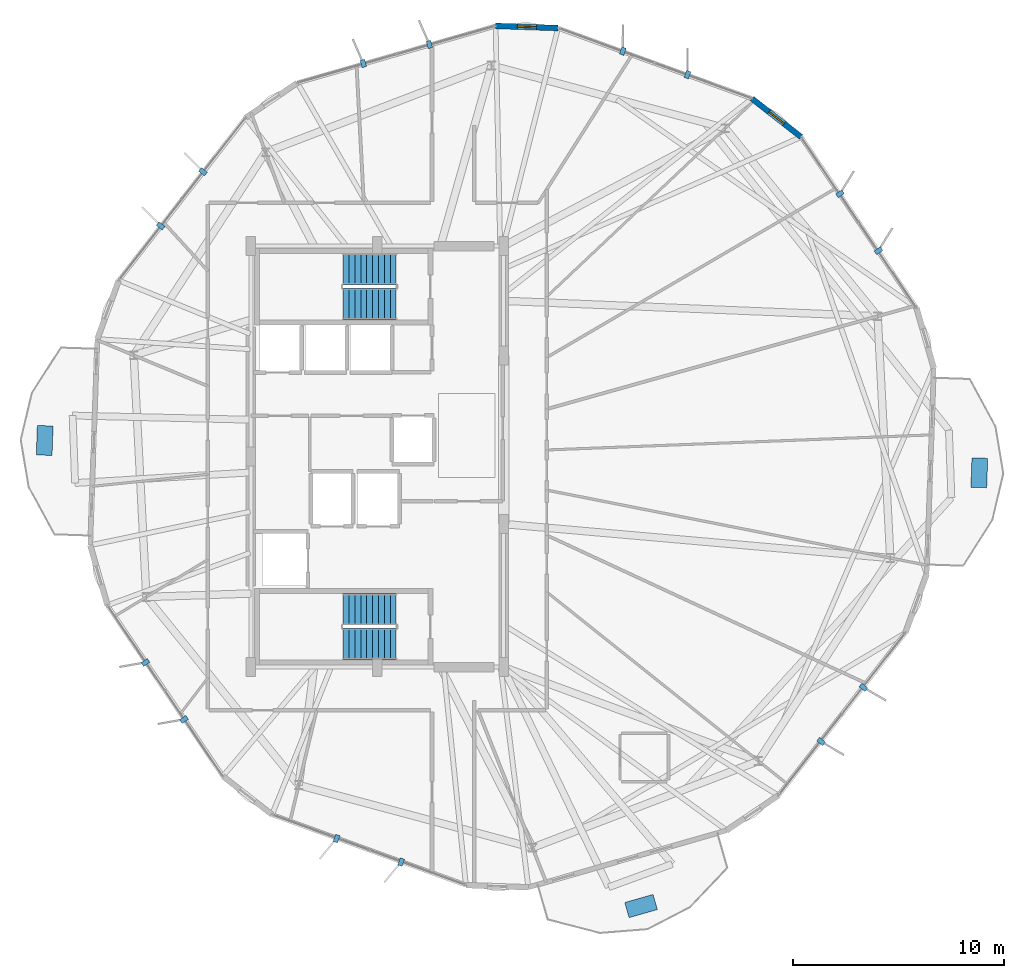
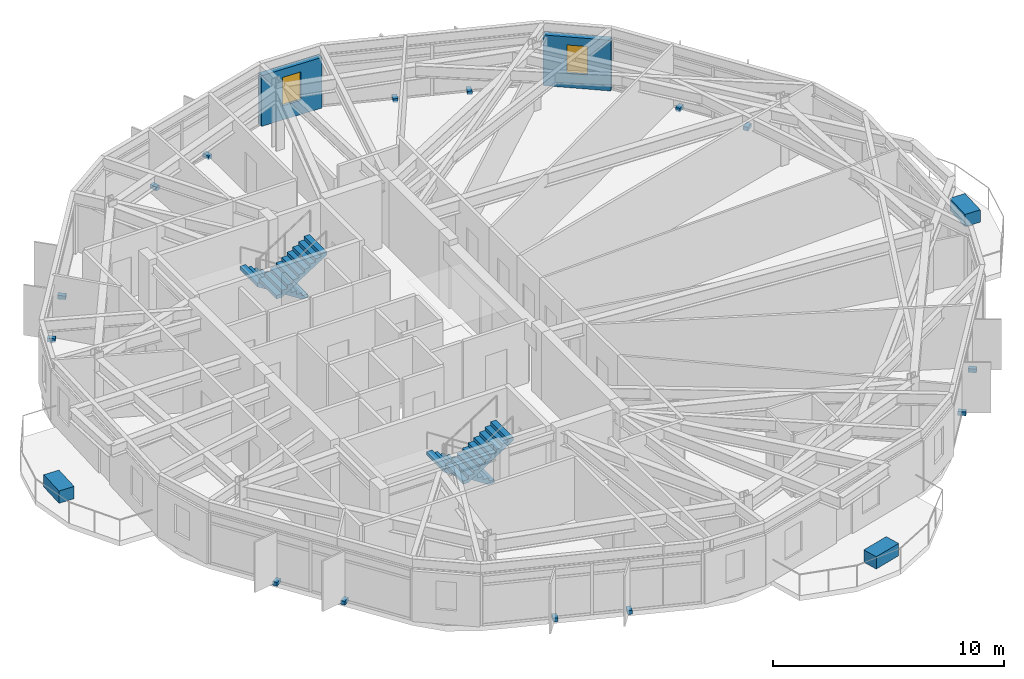
# One storey, part 27 of 30: 17 discrete accessories, 4 stair flights, 2 walls, 2 windows, 2 openings, 2 elements without a shape of their own.
"""IFC4 building model written with IfcOpenShell, lengths in metres."""

from ifc_helpers import new_model, si_unit, direction, frame, frame_2d, origin, origin_2d, place, context, subcontext, project, spatial, polyline, rectangle, outline, extrude, material, layer, layer_set, type_object, element, fill, aggregate, save


model = new_model("IFC4")

# Units and contexts
model_context = context("Model", 3, precision=1e-05, world=origin(), true_north=direction((0.0, 1.0)))
body_context = subcontext(model_context, "Body", "Model", "MODEL_VIEW")
ifc_project = project(units=[si_unit("LENGTHUNIT", "METRE"), si_unit("AREAUNIT", "SQUARE_METRE"), si_unit("VOLUMEUNIT", "CUBIC_METRE"), si_unit("PLANEANGLEUNIT", "RADIAN"), si_unit("MASSUNIT", "GRAM", prefix="KILO")], contexts=[model_context])

# Site, building, storey
site_placement = place(None, origin())
site = spatial("IfcSite", under=ifc_project, at=site_placement, CompositionType="ELEMENT")
building_placement = place(site_placement, origin())
building = spatial("IfcBuilding", under=site, at=building_placement, Name="Soratama Intermodal Tower", CompositionType="ELEMENT")
storey_placement = place(building_placement, frame((0.0, 0.0, 223.0)))
storey = spatial("IfcBuildingStorey", under=building, at=storey_placement, Name="L56", CompositionType="ELEMENT", Elevation=223.0)

# Wall, opening, window
ifc_material_1 = material(Name="Concrete f'c 42 MPa", Category="concrete")
ifc_layer_1 = layer(ifc_material_1, 0.27001953125)
ifc_layer_set_1 = layer_set([ifc_layer_1], Name="Concrete f'c 42 MPa")
wall_type = type_object("IfcWallType", Name="EW-CRN-270", PredefinedType="SOLIDWALL", material=ifc_layer_set_1)
wall_1_placement = place(storey_placement, frame((47.18798828125, 45.3544921875, 0.0), z_axis=(0.0, 0.0, 1.0), x_axis=(-0.999402475551, 0.034564314866, 0.0)))
wall_1 = element("IfcWall", 1, at=wall_1_placement, inside=storey, type_object=wall_type, Name="L56 Corner Closure Wall 01", PredefinedType="SOLIDWALL", context=body_context, shape_type="SweptSolid", body=[
    extrude(rectangle(XDim=2.966552734375, YDim=0.27001953125, at=frame_2d((1.4833984375, 0.0))), origin(), (0.0, 0.0, 1.0), 2.678955078125),
])
opening_1_placement = place(wall_1_placement, frame((1.033203125, 0.0, 0.75)))
opening_1 = element("IfcOpeningElement", 2, at=opening_1_placement, cuts=wall_1, Name="Opening WN-6", PredefinedType="OPENING", context=body_context, shape_type="SweptSolid", body=[
    extrude(rectangle(XDim=0.89990234375, YDim=1.5, at=frame_2d((0.449951171875, 0.75))), frame((0.0, 0.14501953125, 0.0), z_axis=(0.0, -1.0, 0.0), x_axis=(1.0, 0.0, 0.0)), (0.0, 0.0, 1.0), 0.2900390625),
])
ifc_material_2 = material(Name="Double-glazed aluminium window", Category="aluminium")
window_type = type_object("IfcWindowType", Name="WN-FAC-900", PartitioningType="SINGLE_PANEL", PredefinedType="WINDOW", material=ifc_material_2)
window_1_placement = place(opening_1_placement, origin())
window_1 = element("IfcWindow", 3, at=window_1_placement, inside=storey, type_object=window_type, Name="L56 Corner Window 01", OverallHeight=1.5, OverallWidth=0.89990234375, PartitioningType="SINGLE_PANEL", PredefinedType="WINDOW", context=body_context, shape_type="SweptSolid", body=[
    extrude(rectangle(XDim=0.89990234375, YDim=1.5, at=frame_2d((0.449951171875, 0.75))), frame((0.0, 0.030029296875, 0.0), z_axis=(0.0, -1.0, 0.0), x_axis=(1.0, 0.0, 0.0)), (0.0, 0.0, 1.0), 0.06005859375),
])
fill(opening_1, window_1)

wall_2_placement = place(storey_placement, frame((58.734130859375, 40.18115234375, 0.0), z_axis=(0.0, 0.0, 1.0), x_axis=(-0.788216472233, 0.615398076776, 0.0)))
wall_2 = element("IfcWall", 4, at=wall_2_placement, inside=storey, type_object=wall_type, Name="L56 Corner Closure Wall 10", PredefinedType="SOLIDWALL", context=body_context, shape_type="SweptSolid", body=[
    extrude(rectangle(XDim=2.966552734375, YDim=0.27001953125, at=frame_2d((1.4833984375, 0.0))), origin(), (0.0, 0.0, 1.0), 2.678955078125),
])
opening_2_placement = place(wall_2_placement, frame((1.033203125, 0.0, 0.75)))
opening_2 = element("IfcOpeningElement", 5, at=opening_2_placement, cuts=wall_2, Name="Opening WN-6", PredefinedType="OPENING", context=body_context, shape_type="SweptSolid", body=[
    extrude(rectangle(XDim=0.89990234375, YDim=1.5, at=frame_2d((0.449951171875, 0.75))), frame((0.0, 0.14501953125, 0.0), z_axis=(0.0, -1.0, 0.0), x_axis=(1.0, 0.0, 0.0)), (0.0, 0.0, 1.0), 0.2900390625),
])
window_2_placement = place(opening_2_placement, origin())
window_2 = element("IfcWindow", 6, at=window_2_placement, inside=storey, type_object=window_type, Name="L56 Corner Window 10", OverallHeight=1.5, OverallWidth=0.89990234375, PartitioningType="SINGLE_PANEL", PredefinedType="WINDOW", context=body_context, shape_type="SweptSolid", body=[
    extrude(rectangle(XDim=0.89990234375, YDim=1.5, at=frame_2d((0.449951171875, 0.75))), frame((0.0, 0.030029296875, 0.0), z_axis=(0.0, -1.0, 0.0), x_axis=(1.0, 0.0, 0.0)), (0.0, 0.0, 1.0), 0.06005859375),
])
fill(opening_2, window_2)

# Stair, stair flights
ifc_material_3 = material(Name="Concrete f'c 42 MPa", Category="concrete")
stair_type = type_object("IfcStairType", Name="ST-CORE-DOGLEG", PredefinedType="HALF_TURN_STAIR", material=ifc_material_3)
stair_1_placement = place(storey_placement, origin())
stair_1 = element("IfcStair", 7, at=stair_1_placement, inside=storey, type_object=stair_type, Name="L56 ST-1", PredefinedType="HALF_TURN_STAIR")
ifc_material_4 = material(Name="Precast concrete f'c 40 MPa", Category="concrete")
ifc_layer_2 = layer(ifc_material_4, 0.199951171875)
ifc_layer_set_2 = layer_set([ifc_layer_2], Name="Precast concrete f'c 40 MPa")
stair_flight_type = type_object("IfcStairFlightType", Name="SF-FLIGHT-RC", PredefinedType="STRAIGHT", material=ifc_layer_set_2)
stair_flight_1_placement = place(storey_placement, frame((39.5, 17.75, 0.0), z_axis=(0.0, 0.0, 1.0), x_axis=(-1.0, 0.0, 0.0)))
stair_flight_1 = element("IfcStairFlight", 8, at=stair_flight_1_placement, type_object=stair_flight_type, Name="ST-1 flight 1", NumberOfRisers=10, NumberOfTreads=9, PredefinedType="STRAIGHT", RiserHeight=0.18, TreadLength=0.28, context=body_context, shape_type="SweptSolid", body=[
    extrude(outline(polyline([(0.0, 0.0), (0.0, 0.179931640625), (0.280029296875, 0.179931640625), (0.280029296875, 0.360107421875), (0.56005859375, 0.360107421875), (0.56005859375, 0.5400390625), (0.840087890625, 0.5400390625), (0.840087890625, 0.719970703125), (1.1201171875, 0.719970703125), (1.1201171875, 0.89990234375), (1.39990234375, 0.89990234375), (1.39990234375, 1.080078125), (1.679931640625, 1.080078125), (1.679931640625, 1.260009765625), (1.9599609375, 1.260009765625), (1.9599609375, 1.43994140625), (2.239990234375, 1.43994140625), (2.239990234375, 1.6201171875), (2.52001953125, 1.6201171875), (2.52001953125, 1.800048828125), (2.52001953125, 1.44189453125), (0.277099609375, 0.0), (0.0, 0.0)])), frame((0.0, 0.75, 0.0), z_axis=(0.0, -1.0, 0.0), x_axis=(1.0, 0.0, 0.0)), (0.0, 0.0, 1.0), 1.5),
])
stair_flight_2_placement = place(storey_placement, frame((36.97998046875, 16.10009765625, 1.800048828125), z_axis=(0.0, 0.0, 1.0), x_axis=(1.0, 0.0, 0.0)))
stair_flight_2 = element("IfcStairFlight", 9, at=stair_flight_2_placement, type_object=stair_flight_type, Name="ST-1 flight 2", NumberOfRisers=10, NumberOfTreads=9, PredefinedType="STRAIGHT", RiserHeight=0.18, TreadLength=0.28, context=body_context, shape_type="SweptSolid", body=[
    extrude(outline(polyline([(0.0, 0.0), (0.0, 0.179931640625), (0.280029296875, 0.179931640625), (0.280029296875, 0.360107421875), (0.56005859375, 0.360107421875), (0.56005859375, 0.5400390625), (0.840087890625, 0.5400390625), (0.840087890625, 0.719970703125), (1.1201171875, 0.719970703125), (1.1201171875, 0.89990234375), (1.39990234375, 0.89990234375), (1.39990234375, 1.080078125), (1.679931640625, 1.080078125), (1.679931640625, 1.260009765625), (1.9599609375, 1.260009765625), (1.9599609375, 1.43994140625), (2.239990234375, 1.43994140625), (2.239990234375, 1.6201171875), (2.52001953125, 1.6201171875), (2.52001953125, 1.800048828125), (2.52001953125, 1.44189453125), (0.277099609375, 0.0), (0.0, 0.0)])), frame((0.0, 0.75, 0.0), z_axis=(0.0, -1.0, 0.0), x_axis=(1.0, 0.0, 0.0)), (0.0, 0.0, 1.0), 1.5),
])
aggregate(stair_1, [stair_flight_1, stair_flight_2])

stair_2_placement = place(storey_placement, origin())
stair_2 = element("IfcStair", 10, at=stair_2_placement, inside=storey, type_object=stair_type, Name="L56 ST-2", PredefinedType="HALF_TURN_STAIR")
stair_flight_3_placement = place(storey_placement, frame((39.5, 33.89990234375, 0.0), z_axis=(0.0, 0.0, 1.0), x_axis=(-1.0, 0.0, 0.0)))
stair_flight_3 = element("IfcStairFlight", 11, at=stair_flight_3_placement, type_object=stair_flight_type, Name="ST-2 flight 1", NumberOfRisers=10, NumberOfTreads=9, PredefinedType="STRAIGHT", RiserHeight=0.18, TreadLength=0.28, context=body_context, shape_type="SweptSolid", body=[
    extrude(outline(polyline([(0.0, 0.0), (0.0, 0.179931640625), (0.280029296875, 0.179931640625), (0.280029296875, 0.360107421875), (0.56005859375, 0.360107421875), (0.56005859375, 0.5400390625), (0.840087890625, 0.5400390625), (0.840087890625, 0.719970703125), (1.1201171875, 0.719970703125), (1.1201171875, 0.89990234375), (1.39990234375, 0.89990234375), (1.39990234375, 1.080078125), (1.679931640625, 1.080078125), (1.679931640625, 1.260009765625), (1.9599609375, 1.260009765625), (1.9599609375, 1.43994140625), (2.239990234375, 1.43994140625), (2.239990234375, 1.6201171875), (2.52001953125, 1.6201171875), (2.52001953125, 1.800048828125), (2.52001953125, 1.44189453125), (0.277099609375, 0.0), (0.0, 0.0)])), frame((0.0, 0.75, 0.0), z_axis=(0.0, -1.0, 0.0), x_axis=(1.0, 0.0, 0.0)), (0.0, 0.0, 1.0), 1.5),
])
stair_flight_4_placement = place(storey_placement, frame((36.97998046875, 32.25, 1.800048828125), z_axis=(0.0, 0.0, 1.0), x_axis=(1.0, 0.0, 0.0)))
stair_flight_4 = element("IfcStairFlight", 12, at=stair_flight_4_placement, type_object=stair_flight_type, Name="ST-2 flight 2", NumberOfRisers=10, NumberOfTreads=9, PredefinedType="STRAIGHT", RiserHeight=0.18, TreadLength=0.28, context=body_context, shape_type="SweptSolid", body=[
    extrude(outline(polyline([(0.0, 0.0), (0.0, 0.179931640625), (0.280029296875, 0.179931640625), (0.280029296875, 0.360107421875), (0.56005859375, 0.360107421875), (0.56005859375, 0.5400390625), (0.840087890625, 0.5400390625), (0.840087890625, 0.719970703125), (1.1201171875, 0.719970703125), (1.1201171875, 0.89990234375), (1.39990234375, 0.89990234375), (1.39990234375, 1.080078125), (1.679931640625, 1.080078125), (1.679931640625, 1.260009765625), (1.9599609375, 1.260009765625), (1.9599609375, 1.43994140625), (2.239990234375, 1.43994140625), (2.239990234375, 1.6201171875), (2.52001953125, 1.6201171875), (2.52001953125, 1.800048828125), (2.52001953125, 1.44189453125), (0.277099609375, 0.0), (0.0, 0.0)])), frame((0.0, 0.75, 0.0), z_axis=(0.0, -1.0, 0.0), x_axis=(1.0, 0.0, 0.0)), (0.0, 0.0, 1.0), 1.5),
])
aggregate(stair_2, [stair_flight_3, stair_flight_4])

# Discrete accessories
ifc_material_5 = material(Name="Structural steel ASTM A992 Grade 50", Category="steel")
discrete_accessory_type_1 = type_object("IfcDiscreteAccessoryType", Name="AC-FIN-BRACKET", PredefinedType="BRACKET", material=ifc_material_5)
for number, where, z_axis, x_axis, name in (
    (13, (53.333251953125, 43.1416015625, -0.080078125), (0.0, 0.0, 1.0), (0.341692107891, 0.939811951086, 0.0), "L56 Fin Bracket F01-1"),
    (14, (50.263916015625, 44.257568359375, -0.080078125), (0.0, 0.0, 1.0), (0.341692107891, 0.939811951086, 0.0), "L56 Fin Bracket F01-2"),
    (15, (41.07861328125, 44.574951171875, -0.080078125), (0.0, 0.0, 1.0), (-0.275972882649, 0.961165421789, 0.0), "L56 Fin Bracket F02-1"),
    (16, (37.939453125, 43.673583984375, -0.080078125), (0.0, 0.0, 1.0), (-0.275972882649, 0.961165421789, 0.0), "L56 Fin Bracket F02-2"),
    (17, (30.321533203125, 38.531494140625, -0.080078125), (0.0, 0.0, 1.0), (-0.78822561199, 0.615386370179, 0.0), "L56 Fin Bracket F03-1"),
    (18, (28.311767578125, 35.957275390625, -0.080078125), (0.0, 0.0, 1.0), (-0.78822561199, 0.615386370179, 0.0), "L56 Fin Bracket F03-2"),
    (19, (27.5947265625, 15.221435546875, -0.080078125), (0.0, 0.0, 1.0), (-0.828842326905, -0.559482258102, 0.0), "L56 Fin Bracket F05-1"),
    (20, (29.422119140625, 12.514404296875, -0.080078125), (0.0, 0.0, 1.0), (-0.828842326905, -0.559482258102, 0.0), "L56 Fin Bracket F05-2"),
    (21, (36.666748046875, 6.8583984375, -0.080078125), (0.0, 0.0, 1.0), (-0.341692107891, -0.939811951086, 0.0), "L56 Fin Bracket F06-1"),
    (22, (39.736083984375, 5.742431640625, -0.080078125), (0.0, 0.0, 1.0), (-0.341692107891, -0.939811951086, 0.0), "L56 Fin Bracket F06-2"),
    (23, (59.678466796875, 11.468505859375, -0.080078125), (0.0, 0.0, 1.0), (0.78822561199, -0.615386370179, 0.0), "L56 Fin Bracket F08-1"),
    (24, (61.688232421875, 14.042724609375, -0.080078125), (0.0, 0.0, 1.0), (0.78822561199, -0.615386370179, 0.0), "L56 Fin Bracket F08-2"),
    (25, (62.4052734375, 34.778564453125, -0.080078125), (0.0, 0.0, 1.0), (0.828842326905, 0.559482258102, 0.0), "L56 Fin Bracket F10-1"),
    (26, (60.577880859375, 37.485595703125, -0.080078125), (0.0, 0.0, 1.0), (0.828842326905, 0.559482258102, 0.0), "L56 Fin Bracket F10-2"),
):
    element("IfcDiscreteAccessory", number, at=place(storey_placement, frame(where, z_axis=z_axis, x_axis=x_axis)), inside=storey, type_object=discrete_accessory_type_1, Name=name, PredefinedType="BRACKET", context=body_context, shape_type="SweptSolid", body=[
        extrude(rectangle(XDim=0.360107421875, YDim=0.219970703125, at=origin_2d()), origin(), (0.0, 0.0, 1.0), 0.199951171875),
    ])
ifc_material_6 = material(Name="Precast concrete f'c 40 MPa", Category="concrete")
discrete_accessory_type_2 = type_object("IfcDiscreteAccessoryType", Name="AC-PLANTER-TREE", PredefinedType="USERDEFINED", material=ifc_material_6)
for number, where, z_axis, x_axis, name in (
    (27, (67.19384765625, 24.232666015625, 0.0), (0.0, 0.0, 1.0), (0.999402948355, -0.034550641374, 0.0), "L56 Tree Planter 1"),
    (28, (22.80615234375, 25.767333984375, 0.0), (0.0, 0.0, 1.0), (-0.999402948355, 0.034550641374, 0.0), "L56 Tree Planter 2"),
    (29, (51.12841796875, 3.6552734375, 0.0), (0.0, 0.0, 1.0), (0.275972882649, -0.961165421789, 0.0), "L56 Tree Planter 3"),
):
    element("IfcDiscreteAccessory", number, at=place(storey_placement, frame(where, z_axis=z_axis, x_axis=x_axis)), inside=storey, type_object=discrete_accessory_type_2, Name=name, ObjectType="PLANTER", PredefinedType="USERDEFINED", context=body_context, shape_type="SweptSolid", body=[
        extrude(rectangle(XDim=0.75, YDim=1.39990234375, at=origin_2d()), origin(), (0.0, 0.0, 1.0), 0.64990234375),
    ])

save(model, "model.ifc")
